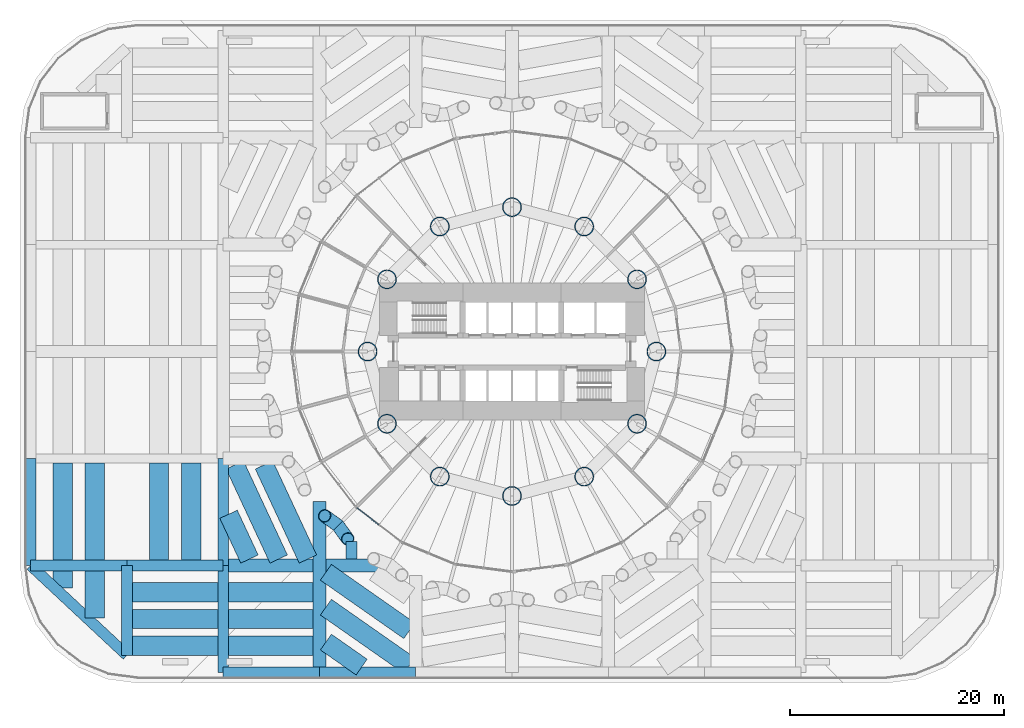
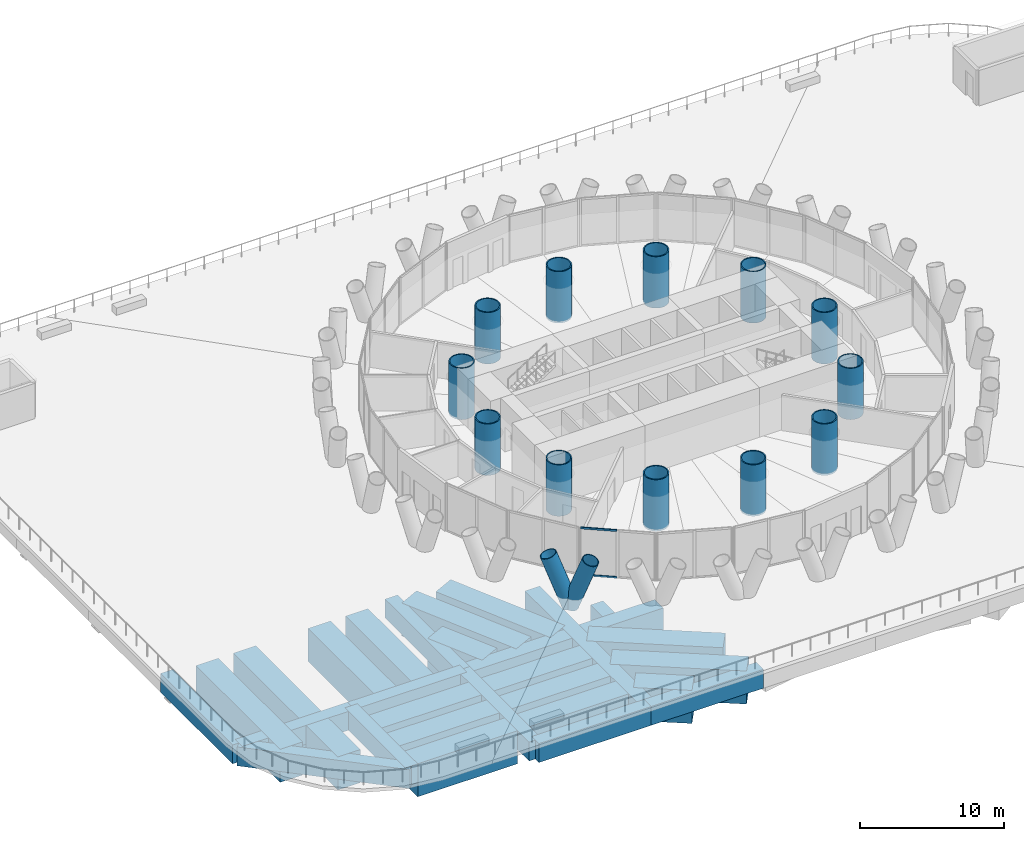
# One storey, part 1 of 19: 29 beams, 12 columns, 4 members, 1 element without a shape of its own.
"""IFC4 building model written with IfcOpenShell, lengths in metres."""

from ifc_helpers import new_model, si_unit, direction, frame, origin, origin_2d, place, context, subcontext, project, spatial, rectangle, hollow_circle, extrude, material, material_profile, profile_set, type_object, element, aggregate, save


model = new_model("IFC4")

# Units and contexts
model_context = context("Model", 3, precision=1e-05, world=origin(), true_north=direction((0.0, 1.0)))
body_context = subcontext(model_context, "Body", "Model", "MODEL_VIEW")
ifc_project = project(units=[si_unit("LENGTHUNIT", "METRE"), si_unit("AREAUNIT", "SQUARE_METRE"), si_unit("VOLUMEUNIT", "CUBIC_METRE"), si_unit("PLANEANGLEUNIT", "RADIAN"), si_unit("MASSUNIT", "GRAM", prefix="KILO")], contexts=[model_context])

# Site, building, storey
site_placement = place(None, origin())
site = spatial("IfcSite", under=ifc_project, at=site_placement, CompositionType="ELEMENT")
building_placement = place(site_placement, origin())
building = spatial("IfcBuilding", under=site, at=building_placement, Name="Qaws Media Tower", CompositionType="ELEMENT")
storey_placement = place(building_placement, frame((0.0, 0.0, 26.0)))
storey = spatial("IfcBuildingStorey", under=building, at=storey_placement, Name="L04", CompositionType="ELEMENT", Elevation=26.0)

# Columns
ifc_material_1 = material(Name="Steel S460", Category="steel")
ifc_material_profile_1 = material_profile(ifc_material_1, hollow_circle(Radius=0.89990234375, WallThickness=0.090087890625, at=origin_2d()), Name="CHS 1800x90")
ifc_profile_set_1 = profile_set([ifc_material_profile_1], Name="Steel S460")
column_type = type_object("IfcColumnType", Name="Inner column CHS 1800x90", PredefinedType="COLUMN", material=ifc_profile_set_1)
for number, where, z_axis, x_axis, name in (
    (1, (73.5, 50.0, -0.159912109375), (0.0, 0.0, 1.0), (1.0, 0.0, 0.0), "C7 inner column I01 L04"),
    (2, (71.69140625, 56.75, -0.159912109375), (0.0, 0.0, 1.0), (1.0, 0.0, 0.0), "C7 inner column I02 L04"),
    (3, (66.75, 61.69140625, -0.159912109375), (0.0, 0.0, 1.0), (1.0, 0.0, 0.0), "C7 inner column I03 L04"),
    (4, (60.0, 63.5, -0.159912109375), (0.0, 0.0, 1.0), (1.0, 0.0, 0.0), "C7 inner column I04 L04"),
    (5, (53.25, 61.69140625, -0.159912109375), (0.0, 0.0, 1.0), (1.0, 0.0, 0.0), "C7 inner column I05 L04"),
    (6, (48.30859375, 56.75, -0.159912109375), (0.0, 0.0, 1.0), (1.0, 0.0, 0.0), "C7 inner column I06 L04"),
    (7, (46.5, 50.0, -0.159912109375), (0.0, 0.0, 1.0), (1.0, 0.0, 0.0), "C7 inner column I07 L04"),
    (8, (48.30859375, 43.25, -0.159912109375), (0.0, 0.0, 1.0), (1.0, 0.0, 0.0), "C7 inner column I08 L04"),
    (9, (53.25, 38.30859375, -0.159912109375), (0.0, 0.0, 1.0), (1.0, 0.0, 0.0), "C7 inner column I09 L04"),
    (10, (60.0, 36.5, -0.159912109375), (0.0, 0.0, 1.0), (1.0, 0.0, 0.0), "C7 inner column I10 L04"),
    (11, (66.75, 38.30859375, -0.159912109375), (0.0, 0.0, 1.0), (1.0, 0.0, 0.0), "C7 inner column I11 L04"),
    (12, (71.69140625, 43.25, -0.159912109375), (0.0, 0.0, 1.0), (1.0, 0.0, 0.0), "C7 inner column I12 L04"),
):
    element("IfcColumn", number, at=place(storey_placement, frame(where, z_axis=z_axis, x_axis=x_axis)), inside=storey, type_object=column_type, Name=name, PredefinedType="COLUMN", context=body_context, shape_type="SweptSolid", body=[
        extrude(hollow_circle(Radius=0.89990234375, WallThickness=0.090087890625, at=origin_2d()), origin(), (0.0, 0.0, 1.0), 4.35986328125),
    ])

# Curtain wall, members
ifc_material_2 = material(Name="Aluminium and clear glass", Category="aluminium")
curtain_wall_type = type_object("IfcCurtainWallType", Name="Unitised curtain wall CW-A", PredefinedType="NOTDEFINED", material=ifc_material_2)
curtain_wall_placement = place(storey_placement, origin())
curtain_wall = element("IfcCurtainWall", 13, at=curtain_wall_placement, inside=storey, type_object=curtain_wall_type, Name="CWA curtain wall L04-16", PredefinedType="NOTDEFINED")
ifc_material_3 = material(Name="Aluminium transom", Category="aluminium")
ifc_material_profile_2 = material_profile(ifc_material_3, rectangle(XDim=0.080078125, YDim=0.159912109375, at=origin_2d()), Name="80x160")
ifc_profile_set_2 = profile_set([ifc_material_profile_2], Name="Aluminium transom")
member_type_1 = type_object("IfcMemberType", Name="Curtain wall transom 80x160", PredefinedType="USERDEFINED", material=ifc_profile_set_2)
member_1_placement = place(storey_placement, frame((45.4970703125, 35.385009765625, 0.0400390625), z_axis=(0.793337078322, -0.608782621434, 0.0), x_axis=(0.608782621434, 0.793337078322, 0.0)))
member_1 = element("IfcMember", 14, at=member_1_placement, type_object=member_type_1, Name="CWA transom 1.1", ObjectType="TRANSOM", PredefinedType="USERDEFINED", context=body_context, shape_type="SweptSolid", body=[
    extrude(rectangle(XDim=0.080078125, YDim=0.159912109375, at=origin_2d()), origin(), (0.0, 0.0, 1.0), 2.569091796875),
])
member_2_placement = place(storey_placement, frame((45.4970703125, 35.385009765625, 4.0), z_axis=(0.793337078322, -0.608782621434, 0.0), x_axis=(0.608782621434, 0.793337078322, 0.0)))
member_2 = element("IfcMember", 15, at=member_2_placement, type_object=member_type_1, Name="CWA transom 1.2", ObjectType="TRANSOM", PredefinedType="USERDEFINED", context=body_context, shape_type="SweptSolid", body=[
    extrude(rectangle(XDim=0.080078125, YDim=0.159912109375, at=origin_2d()), origin(), (0.0, 0.0, 1.0), 2.569091796875),
])
aggregate(curtain_wall, [member_1, member_2])

# Members
ifc_material_4 = material(Name="Steel S460", Category="steel")
ifc_material_profile_3 = material_profile(ifc_material_4, hollow_circle(Radius=0.609619140625, WallThickness=0.06005859375, at=origin_2d()), Name="CHS 1219x60")
ifc_profile_set_3 = profile_set([ifc_material_profile_3], Name="Steel S460")
member_type_2 = type_object("IfcMemberType", Name="Diagrid member CHS 1219x60", PredefinedType="USERDEFINED", material=ifc_profile_set_3)
for number, where, z_axis, x_axis, name in (
    (16, (43.736572265625, 33.736572265625, -0.909912109375), (0.201266133248, -0.280321331697, 0.938569067572), (0.812310289856, 0.583225507839, 0.0), "DG1 diagrid L04 A16"),
    (17, (43.736572265625, 33.736572265625, -0.909912109375), (-0.280321331697, 0.201266133248, 0.938569067572), (-0.583225507839, -0.812310289856, 0.0), "DG1 diagrid L04 B16"),
):
    element("IfcMember", number, at=place(storey_placement, frame(where, z_axis=z_axis, x_axis=x_axis)), inside=storey, type_object=member_type_2, Name=name, ObjectType="DIAGRID", PredefinedType="USERDEFINED", context=body_context, shape_type="SweptSolid", body=[
        extrude(hollow_circle(Radius=0.609619140625, WallThickness=0.06005859375, at=origin_2d()), origin(), (0.0, 0.0, 1.0), 4.474853515625),
    ])

# Beams
ifc_material_5 = material(Name="Concrete C60/75", Category="concrete")
ifc_material_profile_4 = material_profile(ifc_material_5, rectangle(XDim=1.199951171875, YDim=2.0, at=origin_2d()), Name="RC 1200x2000")
ifc_profile_set_4 = profile_set([ifc_material_profile_4], Name="Concrete C60/75")
beam_type_1 = type_object("IfcBeamType", Name="Podium long trimmer beam RC 1200x2000", PredefinedType="BEAM", material=ifc_profile_set_4)
beam_1_placement = place(storey_placement, frame((33.0, 30.0, -1.300048828125), z_axis=(1.0, 0.0, 0.0), x_axis=(0.0, 1.0, 0.0)))
element("IfcBeam", 18, at=beam_1_placement, inside=storey, type_object=beam_type_1, Name="PB11 beam 3/B to the tower ring", PredefinedType="BEAM", context=body_context, shape_type="SweptSolid", body=[
    extrude(rectangle(XDim=1.199951171875, YDim=2.0, at=origin_2d()), origin(), (0.0, 0.0, 1.0), 15.696533203125),
])
beam_2_placement = place(storey_placement, frame((42.0, 20.0, -1.300048828125), z_axis=(0.0, 1.0, 0.0), x_axis=(-1.0, 0.0, 0.0)))
element("IfcBeam", 19, at=beam_2_placement, inside=storey, type_object=beam_type_1, Name="PB11 beam 4/A to the tower ring", PredefinedType="BEAM", context=body_context, shape_type="SweptSolid", body=[
    extrude(rectangle(XDim=1.199951171875, YDim=2.0, at=origin_2d()), origin(), (0.0, 0.0, 1.0), 15.999755859375),
])
ifc_material_6 = material(Name="Concrete C60/75", Category="concrete")
ifc_material_profile_5 = material_profile(ifc_material_6, rectangle(XDim=1.0, YDim=1.60009765625, at=origin_2d()), Name="RC 1000x1600")
ifc_profile_set_5 = profile_set([ifc_material_profile_5], Name="Concrete C60/75")
beam_type_2 = type_object("IfcBeamType", Name="Podium roof girder RC 1000x1600", PredefinedType="BEAM", material=ifc_profile_set_5)
for number, where, z_axis, x_axis, name in (
    (20, (33.0, 20.0, -1.10009765625), (1.0, 0.0, 0.0), (0.0, 1.0, 0.0), "PB10 beam 3-4/A"),
    (21, (42.0, 20.0, -1.10009765625), (1.0, 0.0, 0.0), (0.0, 1.0, 0.0), "PB10 beam 4-5/A"),
    (22, (15.0, 30.0, -1.10009765625), (1.0, 0.0, 0.0), (0.0, 1.0, 0.0), "PB10 beam 1-2/B"),
    (23, (24.0, 30.0, -1.10009765625), (1.0, 0.0, 0.0), (0.0, 1.0, 0.0), "PB10 beam 2-3/B"),
):
    element("IfcBeam", number, at=place(storey_placement, frame(where, z_axis=z_axis, x_axis=x_axis)), inside=storey, type_object=beam_type_2, Name=name, PredefinedType="BEAM", context=body_context, shape_type="SweptSolid", body=[
        extrude(rectangle(XDim=1.0, YDim=1.60009765625, at=origin_2d()), origin(), (0.0, 0.0, 1.0), 9.0),
    ])
beam_3_placement = place(storey_placement, frame((15.0, 30.0, -1.10009765625), z_axis=(0.0, 1.0, 0.0), x_axis=(-1.0, 0.0, 0.0)))
element("IfcBeam", 24, at=beam_3_placement, inside=storey, type_object=beam_type_2, Name="PB10 beam 1/B-C", PredefinedType="BEAM", context=body_context, shape_type="SweptSolid", body=[
    extrude(rectangle(XDim=1.0, YDim=1.60009765625, at=origin_2d()), origin(), (0.0, 0.0, 1.0), 10.0),
])
beam_4_placement = place(storey_placement, frame((24.0, 21.60009765625, -1.10009765625), z_axis=(0.0, 1.0, 0.0), x_axis=(-1.0, 0.0, 0.0)))
element("IfcBeam", 25, at=beam_4_placement, inside=storey, type_object=beam_type_2, Name="PB10 beam 2/A-B", PredefinedType="BEAM", context=body_context, shape_type="SweptSolid", body=[
    extrude(rectangle(XDim=1.0, YDim=1.60009765625, at=origin_2d()), origin(), (0.0, 0.0, 1.0), 8.39990234375),
])
for number, where, z_axis, x_axis, name in (
    (26, (33.0, 20.0, -1.10009765625), (0.0, 1.0, 0.0), (-1.0, 0.0, 0.0), "PB10 beam 3/A-B"),
    (27, (33.0, 30.0, -1.10009765625), (0.0, 1.0, 0.0), (-1.0, 0.0, 0.0), "PB10 beam 3/B-C"),
):
    element("IfcBeam", number, at=place(storey_placement, frame(where, z_axis=z_axis, x_axis=x_axis)), inside=storey, type_object=beam_type_2, Name=name, PredefinedType="BEAM", context=body_context, shape_type="SweptSolid", body=[
        extrude(rectangle(XDim=1.0, YDim=1.60009765625, at=origin_2d()), origin(), (0.0, 0.0, 1.0), 10.0),
    ])
beam_5_placement = place(storey_placement, frame((15.0, 30.0, -1.10009765625), z_axis=(0.73105922506, -0.682314010889, 0.0), x_axis=(0.682314010889, 0.73105922506, 0.0)))
element("IfcBeam", 28, at=beam_5_placement, inside=storey, type_object=beam_type_2, Name="PB10 beam 1/B-2/A", PredefinedType="BEAM", context=body_context, shape_type="SweptSolid", body=[
    extrude(rectangle(XDim=1.0, YDim=1.60009765625, at=origin_2d()), origin(), (0.0, 0.0, 1.0), 12.310791015625),
])
ifc_material_7 = material(Name="Concrete C60/75", Category="concrete")
ifc_material_profile_6 = material_profile(ifc_material_7, rectangle(XDim=1.0, YDim=1.60009765625, at=origin_2d()), Name="RC 1000x1600")
ifc_profile_set_6 = profile_set([ifc_material_profile_6], Name="Concrete C60/75")
beam_type_3 = type_object("IfcBeamType", Name="Podium roof ring secondary beam RC 1000x1600", PredefinedType="BEAM", material=ifc_profile_set_6)
beam_6_placement = place(storey_placement, frame((45.0, 30.60009765625, -1.10009765625), z_axis=(0.0, 1.0, 0.0), x_axis=(-1.0, 0.0, 0.0)))
element("IfcBeam", 29, at=beam_6_placement, inside=storey, type_object=beam_type_3, Name="PB13 beam bay 4B line 1", PredefinedType="BEAM", context=body_context, shape_type="SweptSolid", body=[
    extrude(rectangle(XDim=1.0, YDim=1.60009765625, at=origin_2d()), origin(), (0.0, 0.0, 1.0), 1.662841796875),
])
ifc_material_8 = material(Name="Concrete C60/75", Category="concrete")
ifc_material_profile_7 = material_profile(ifc_material_8, rectangle(XDim=1.800048828125, YDim=2.800048828125, at=origin_2d()), Name="RC 1800x2800")
ifc_profile_set_7 = profile_set([ifc_material_profile_7], Name="Concrete C60/75")
beam_type_4 = type_object("IfcBeamType", Name="Podium roof secondary beam RC 1800x2800", PredefinedType="BEAM", material=ifc_profile_set_7)
beam_7_placement = place(storey_placement, frame((21.0, 25.083984375, -1.699951171875), z_axis=(0.0, 1.0, 0.0), x_axis=(-1.0, 0.0, 0.0)))
element("IfcBeam", 30, at=beam_7_placement, inside=storey, type_object=beam_type_4, Name="PB8 beam bay 1A line 1", PredefinedType="BEAM", context=body_context, shape_type="SweptSolid", body=[
    extrude(rectangle(XDim=1.800048828125, YDim=2.800048828125, at=origin_2d()), origin(), (0.0, 0.0, 1.0), 4.416015625),
])
beam_8_placement = place(storey_placement, frame((21.0, 30.5, -1.699951171875), z_axis=(0.0, 1.0, 0.0), x_axis=(-1.0, 0.0, 0.0)))
element("IfcBeam", 31, at=beam_8_placement, inside=storey, type_object=beam_type_4, Name="PB8 beam bay 1B line 1", PredefinedType="BEAM", context=body_context, shape_type="SweptSolid", body=[
    extrude(rectangle(XDim=1.800048828125, YDim=2.800048828125, at=origin_2d()), origin(), (0.0, 0.0, 1.0), 9.10009765625),
])
beam_9_placement = place(storey_placement, frame((18.0, 27.884033203125, -1.699951171875), z_axis=(0.0, 1.0, 0.0), x_axis=(-1.0, 0.0, 0.0)))
element("IfcBeam", 32, at=beam_9_placement, inside=storey, type_object=beam_type_4, Name="PB8 beam bay 1B line 2", PredefinedType="BEAM", context=body_context, shape_type="SweptSolid", body=[
    extrude(rectangle(XDim=1.800048828125, YDim=2.800048828125, at=origin_2d()), origin(), (0.0, 0.0, 1.0), 11.716064453125),
])
for number, where, z_axis, x_axis, name in (
    (33, (24.5, 22.5, -1.699951171875), (1.0, 0.0, 0.0), (0.0, 1.0, 0.0), "PB8 beam bay 2A line 1"),
    (34, (24.5, 25.0, -1.699951171875), (1.0, 0.0, 0.0), (0.0, 1.0, 0.0), "PB8 beam bay 2A line 2"),
    (35, (24.5, 27.5, -1.699951171875), (1.0, 0.0, 0.0), (0.0, 1.0, 0.0), "PB8 beam bay 2A line 3"),
):
    element("IfcBeam", number, at=place(storey_placement, frame(where, z_axis=z_axis, x_axis=x_axis)), inside=storey, type_object=beam_type_4, Name=name, PredefinedType="BEAM", context=body_context, shape_type="SweptSolid", body=[
        extrude(rectangle(XDim=1.800048828125, YDim=2.800048828125, at=origin_2d()), origin(), (0.0, 0.0, 1.0), 8.0),
    ])
for number, where, z_axis, x_axis, name in (
    (36, (30.0, 30.5, -1.699951171875), (0.0, 1.0, 0.0), (-1.0, 0.0, 0.0), "PB8 beam bay 2B line 1"),
    (37, (27.0, 30.5, -1.699951171875), (0.0, 1.0, 0.0), (-1.0, 0.0, 0.0), "PB8 beam bay 2B line 2"),
):
    element("IfcBeam", number, at=place(storey_placement, frame(where, z_axis=z_axis, x_axis=x_axis)), inside=storey, type_object=beam_type_4, Name=name, PredefinedType="BEAM", context=body_context, shape_type="SweptSolid", body=[
        extrude(rectangle(XDim=1.800048828125, YDim=2.800048828125, at=origin_2d()), origin(), (0.0, 0.0, 1.0), 9.10009765625),
    ])
for number, where, z_axis, x_axis, name in (
    (38, (33.5, 22.5, -1.699951171875), (1.0, 0.0, 0.0), (0.0, 1.0, 0.0), "PB8 beam bay 3A line 1"),
    (39, (33.5, 25.0, -1.699951171875), (1.0, 0.0, 0.0), (0.0, 1.0, 0.0), "PB8 beam bay 3A line 2"),
    (40, (33.5, 27.5, -1.699951171875), (1.0, 0.0, 0.0), (0.0, 1.0, 0.0), "PB8 beam bay 3A line 3"),
):
    element("IfcBeam", number, at=place(storey_placement, frame(where, z_axis=z_axis, x_axis=x_axis)), inside=storey, type_object=beam_type_4, Name=name, PredefinedType="BEAM", context=body_context, shape_type="SweptSolid", body=[
        extrude(rectangle(XDim=1.800048828125, YDim=2.800048828125, at=origin_2d()), origin(), (0.0, 0.0, 1.0), 7.89990234375),
    ])
for number, where, z_axis, x_axis, name in (
    (41, (40.91796875, 30.60009765625, -1.699951171875), (-0.422626662909, 0.90630386946, 0.0), (-0.90630386946, -0.422626662909, 0.0), "PB8 beam bay 3B line 1"),
    (42, (38.185546875, 30.60009765625, -1.699951171875), (-0.422626662909, 0.90630386946, 0.0), (-0.90630386946, -0.422626662909, 0.0), "PB8 beam bay 3B line 2"),
):
    element("IfcBeam", number, at=place(storey_placement, frame(where, z_axis=z_axis, x_axis=x_axis)), inside=storey, type_object=beam_type_4, Name=name, PredefinedType="BEAM", context=body_context, shape_type="SweptSolid", body=[
        extrude(rectangle(XDim=1.800048828125, YDim=2.800048828125, at=origin_2d()), origin(), (0.0, 0.0, 1.0), 9.70947265625),
    ])
beam_10_placement = place(storey_placement, frame((35.452880859375, 30.60009765625, -1.699951171875), z_axis=(-0.422636695066, 0.906299191208, 0.0), x_axis=(-0.906299191208, -0.422636695066, 0.0)))
element("IfcBeam", 43, at=beam_10_placement, inside=storey, type_object=beam_type_4, Name="PB8 beam bay 3B line 3", PredefinedType="BEAM", context=body_context, shape_type="SweptSolid", body=[
    extrude(rectangle(XDim=1.800048828125, YDim=2.800048828125, at=origin_2d()), origin(), (0.0, 0.0, 1.0), 4.62060546875),
])
for number, where, z_axis, x_axis, name in (
    (44, (50.39990234375, 23.8994140625, -1.699951171875), (-0.819142773334, 0.57358967642, 0.0), (-0.57358967642, -0.819142773334, 0.0), "PB8 beam bay 4A line 2"),
    (45, (50.39990234375, 20.638916015625, -1.699951171875), (-0.819142773334, 0.57358967642, 0.0), (-0.57358967642, -0.819142773334, 0.0), "PB8 beam bay 4A line 3"),
):
    element("IfcBeam", number, at=place(storey_placement, frame(where, z_axis=z_axis, x_axis=x_axis)), inside=storey, type_object=beam_type_4, Name=name, PredefinedType="BEAM", context=body_context, shape_type="SweptSolid", body=[
        extrude(rectangle(XDim=1.800048828125, YDim=2.800048828125, at=origin_2d()), origin(), (0.0, 0.0, 1.0), 9.52197265625),
    ])
beam_11_placement = place(storey_placement, frame((45.942138671875, 20.5, -1.699951171875), z_axis=(-0.819127892639, 0.573610926937, 0.0), x_axis=(-0.573610926937, -0.819127892639, 0.0)))
element("IfcBeam", 46, at=beam_11_placement, inside=storey, type_object=beam_type_4, Name="PB8 beam bay 4A line 4", PredefinedType="BEAM", context=body_context, shape_type="SweptSolid", body=[
    extrude(rectangle(XDim=1.800048828125, YDim=2.800048828125, at=origin_2d()), origin(), (0.0, 0.0, 1.0), 4.080078125),
])

save(model, "model.ifc")
